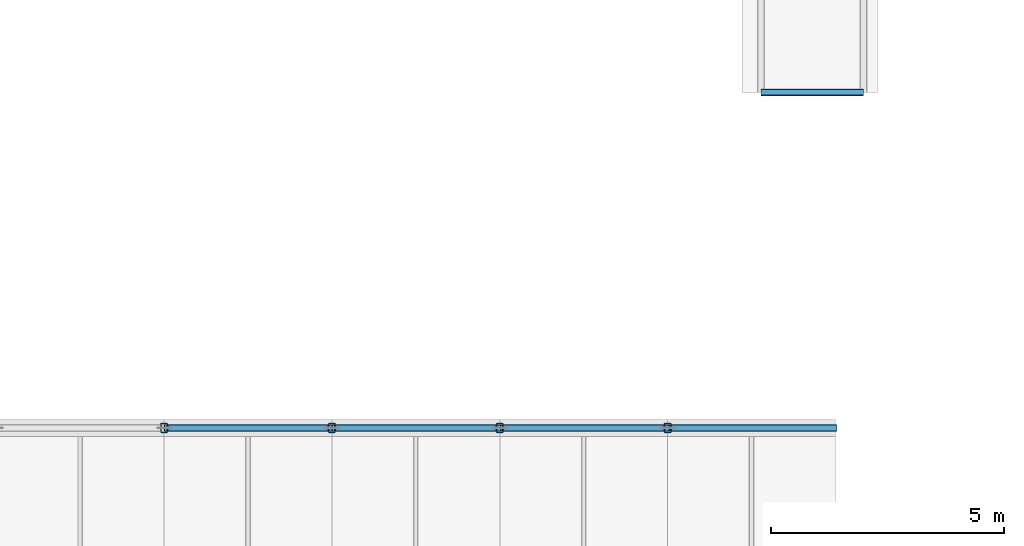
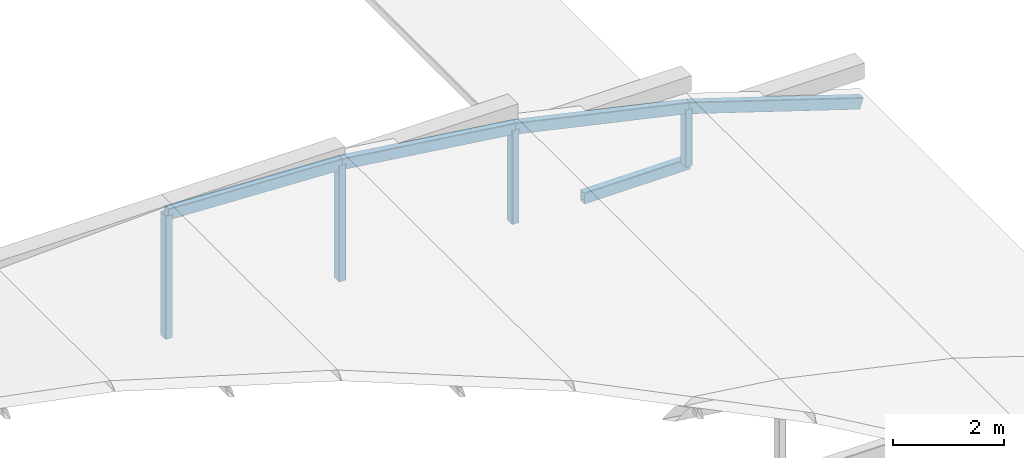
# One storey, part 15 of 70: 8 members, 1 beam.
"""IFC4 building model written with IfcOpenShell, lengths in metres."""

import ifcopenshell
import ifcopenshell.guid

model = None  # the IFC model being written
_history = None  # IfcOwnerHistory: only IFC2X3 demands one
_inside = {}  # id of a spatial element -> (the spatial element, [elements in it])
_under = {}  # id of a project, library or spatial element -> (it, [spatial elements below it])
_declared = {}  # id of a project -> (the project, [libraries it declares])
_typed = {}  # id of a type object -> (the type object, [elements of that type])
_made_of = {}  # id of a material, layer set ... -> (it, [elements and type objects made of it])


def new_model(schema):
    """Start an empty IFC model of exactly this schema.

    Asked for "IFC4X3", IfcOpenShell would pick the latest addendum, in which some entities
    have other attributes; the version numbers below select the first issue.
    IFC2X3 requires an IfcOwnerHistory on every rooted entity: one is made here for all.
    """
    global model, _history
    if schema == "IFC4X3":
        model = ifcopenshell.file(schema_version=(4, 3, 0, 0))
    else:
        model = ifcopenshell.file(schema=schema)
    _inside.clear()
    _under.clear()
    _declared.clear()
    _typed.clear()
    _made_of.clear()
    _history = None
    if model.schema == "IFC2X3":
        org = make("IfcOrganization", Name="unknown")
        user = make(
            "IfcPersonAndOrganization",
            ThePerson=make("IfcPerson", FamilyName="unknown"),
            TheOrganization=org,
        )
        app = make(
            "IfcApplication",
            ApplicationDeveloper=org,
            Version="unknown",
            ApplicationFullName="unknown",
            ApplicationIdentifier="unknown",
        )
        _history = make(
            "IfcOwnerHistory",
            OwningUser=user,
            OwningApplication=app,
            ChangeAction="ADDED",
            CreationDate=0,
        )
    return model


def make(cls, **values):
    """One entity of the class cls with the attributes given. An attribute that is None is left unset."""
    return model.create_entity(
        cls, **{name: value for name, value in values.items() if value is not None}
    )


def rooted(cls, **values):
    """An entity with a GlobalId (a new one), such as an element, a storey or a relation."""
    return make(cls, GlobalId=ifcopenshell.guid.new(), OwnerHistory=_history, **values)


def si_unit(unit_type, name, prefix=None):
    """IfcSIUnit, for example si_unit("LENGTHUNIT", "METRE", prefix="MILLI")."""
    return make("IfcSIUnit", UnitType=unit_type, Prefix=prefix, Name=name)


def assignment(units):
    """IfcUnitAssignment: the units of a project."""
    return None if units is None else make("IfcUnitAssignment", Units=units)


def point(xyz):
    """IfcCartesianPoint."""
    return None if xyz is None else make("IfcCartesianPoint", Coordinates=xyz)


def direction(xyz):
    """IfcDirection."""
    return None if xyz is None else make("IfcDirection", DirectionRatios=xyz)


def frame(location, z_axis=None, x_axis=None):
    """IfcAxis2Placement3D, a coordinate frame: its origin and axes. An axis left out is left unset."""
    return make(
        "IfcAxis2Placement3D",
        Location=point(location),
        Axis=direction(z_axis),
        RefDirection=direction(x_axis),
    )


def frame_2d(location, x_axis=None):
    """IfcAxis2Placement2D, a coordinate frame in the plane: its origin and x axis."""
    return make(
        "IfcAxis2Placement2D", Location=point(location), RefDirection=direction(x_axis)
    )


def origin():
    """The frame at (0, 0, 0) with its axes left unset."""
    return frame((0.0, 0.0, 0.0))


def origin_2d():
    """The frame at (0, 0) in the plane with its x axis left unset."""
    return frame_2d((0.0, 0.0))


def place(relative_to, where):
    """IfcLocalPlacement: puts the frame where relative to a parent placement (None: the world)."""
    return make(
        "IfcLocalPlacement", PlacementRelTo=relative_to, RelativePlacement=where
    )


def context(
    kind, dimensions, precision=None, world=None, true_north=None, identifier=None
):
    """IfcGeometricRepresentationContext, for example the 3D "Model" context."""
    return make(
        "IfcGeometricRepresentationContext",
        ContextIdentifier=identifier,
        ContextType=kind,
        CoordinateSpaceDimension=dimensions,
        Precision=precision,
        WorldCoordinateSystem=world,
        TrueNorth=true_north,
    )


def subcontext(parent, identifier, kind, view, scale=None):
    """IfcGeometricRepresentationSubContext, for example "Body" below "Model"."""
    return make(
        "IfcGeometricRepresentationSubContext",
        ContextIdentifier=identifier,
        ContextType=kind,
        ParentContext=parent,
        TargetScale=scale,
        TargetView=view,
    )


def project(units=None, contexts=None):
    """IfcProject with its units and contexts."""
    return rooted(
        "IfcProject",
        Name="project",
        RepresentationContexts=contexts,
        UnitsInContext=assignment(units),
    )


def spatial(cls, under=None, at=None, **own):
    """A site, building, storey or space (cls), placed at a placement, below another one or the project."""
    s = rooted(cls, ObjectPlacement=at, **own)
    if under is not None:
        _under.setdefault(under.id(), (under, []))[1].append(s)
    return s


def profile(cls, at=None, kind="AREA", **sizes):
    """A parametric profile (cls). Its sizes go by their IFC names, for example OverallWidth=200.0."""
    return make(cls, ProfileType=kind, Position=at, **sizes)


def hollow_rectangle(**sizes):
    """IfcRectangleHollowProfileDef."""
    return profile("IfcRectangleHollowProfileDef", **sizes)


def extrude(swept, where, along, depth):
    """IfcExtrudedAreaSolid: the profile swept, set in the frame where, extruded along a direction by depth."""
    return make(
        "IfcExtrudedAreaSolid",
        SweptArea=swept,
        Position=where,
        ExtrudedDirection=direction(along),
        Depth=depth,
    )


def shape(context_of_items, identifier, shape_type, items):
    """IfcShapeRepresentation: the items that make up one representation, for example the "Body"."""
    return make(
        "IfcShapeRepresentation",
        ContextOfItems=context_of_items,
        RepresentationIdentifier=identifier,
        RepresentationType=shape_type,
        Items=items,
    )


def material(Name=None, Category=None):
    """IfcMaterial."""
    return make("IfcMaterial", Name=Name, Category=Category)


def material_profile(
    of_material, cross_section, Name=None, Category=None, Priority=None
):
    """IfcMaterialProfile: a cross section and its material."""
    return make(
        "IfcMaterialProfile",
        Name=Name,
        Material=of_material,
        Profile=cross_section,
        Priority=Priority,
        Category=Category,
    )


def profile_set(profiles, Name=None, composite=None):
    """IfcMaterialProfileSet."""
    return make(
        "IfcMaterialProfileSet",
        Name=Name,
        MaterialProfiles=profiles,
        CompositeProfile=composite,
    )


def made_of(thing, what):
    """Note that an element or type object is made of a material, layer set ...; save() writes the relation."""
    if what is not None:
        _made_of.setdefault(what.id(), (what, []))[1].append(thing)
    return thing


def type_object(cls, material=None, **own):
    """A type object (cls), such as IfcWallType, which elements share."""
    return made_of(rooted(cls, **own), material)


def element(
    cls,
    number,
    at=None,
    inside=None,
    cuts=None,
    type_object=None,
    material=None,
    context=None,
    identifier="Body",
    shape_type=None,
    held_by="IfcProductDefinitionShape",
    body=None,
    shapes=None,
    **own,
):
    """One element of the class cls, such as IfcWall. Its Tag is "e" and its number.

    at: its placement. inside: the storey or other place that contains it. cuts: it is an
    opening in that element (IfcRelVoidsElement). A single representation is given by context,
    identifier, shape_type and body (its items); several are given by shapes. held_by: the class
    of the entity that holds the representations. save() writes the other relations.
    """
    e = rooted(cls, Tag="e%d" % number, ObjectPlacement=at, **own)
    if body is not None:
        shapes = [shape(context, identifier, shape_type, body)]
    if shapes is not None:
        e.Representation = make(held_by, Representations=shapes)
    if inside is not None:
        _inside.setdefault(inside.id(), (inside, []))[1].append(e)
    if cuts is not None:
        rooted(
            "IfcRelVoidsElement", RelatingBuildingElement=cuts, RelatedOpeningElement=e
        )
    if type_object is not None:
        _typed.setdefault(type_object.id(), (type_object, []))[1].append(e)
    return made_of(e, material)


def aggregate(whole, parts):
    """IfcRelAggregates: a whole, such as a stair, and the parts it consists of."""
    return rooted("IfcRelAggregates", RelatingObject=whole, RelatedObjects=parts)


def save(model, path):
    """Write the relations noted so far, then the file.

    IfcRelAggregates (storeys below a building ...), IfcRelContainedInSpatialStructure (elements
    in a storey), IfcRelDefinesByType, IfcRelAssociatesMaterial and IfcRelDeclares: one each for
    every whole, place, type object, material and project.
    """
    for whole, parts in _under.values():
        aggregate(whole, parts)
    for where, things in _inside.values():
        rooted(
            "IfcRelContainedInSpatialStructure",
            RelatedElements=things,
            RelatingStructure=where,
        )
    for kind, things in _typed.values():
        rooted("IfcRelDefinesByType", RelatedObjects=things, RelatingType=kind)
    for what, things in _made_of.values():
        rooted("IfcRelAssociatesMaterial", RelatedObjects=things, RelatingMaterial=what)
    for by, libraries in _declared.values():
        rooted("IfcRelDeclares", RelatingContext=by, RelatedDefinitions=libraries)
    model.write(path)


model = new_model("IFC4")

# Units and contexts
model_context = context("Model", 3, precision=1e-05, world=origin(), true_north=direction((0.0, 1.0)))
body_context = subcontext(model_context, "Body", "Model", "MODEL_VIEW")
ifc_project = project(units=[si_unit("LENGTHUNIT", "METRE"), si_unit("AREAUNIT", "SQUARE_METRE"), si_unit("VOLUMEUNIT", "CUBIC_METRE"), si_unit("PLANEANGLEUNIT", "RADIAN"), si_unit("MASSUNIT", "GRAM", prefix="KILO")], contexts=[model_context])

# Site, building, storey
site_placement = place(None, origin())
site = spatial("IfcSite", under=ifc_project, at=site_placement, CompositionType="ELEMENT")
building_placement = place(site_placement, origin())
building = spatial("IfcBuilding", under=site, at=building_placement, Name="Mavantir Sound Aquarium", CompositionType="ELEMENT")
storey_placement = place(building_placement, frame((0.0, 0.0, 27.0)))
storey = spatial("IfcBuildingStorey", under=building, at=storey_placement, Name="RF", CompositionType="ELEMENT", Elevation=27.0)

# Beam
ifc_material = material(Name="Hollow Structural Steel ASTM A500 GrC", Category="steel")
ifc_material_profile_1 = material_profile(ifc_material, hollow_rectangle(XDim=0.14990234375, YDim=0.25, WallThickness=0.010009765625, InnerFilletRadius=0.010009765625, OuterFilletRadius=0.02001953125, at=origin_2d()), Name="RHS 250X150X10")
ifc_profile_set_1 = profile_set([ifc_material_profile_1], Name="Hollow Structural Steel ASTM A500 GrC")
beam_type = type_object("IfcBeamType", Name="BM-RHS250-E", PredefinedType="BEAM", material=ifc_profile_set_1)
beam_placement = place(storey_placement, frame((94.39990234375, 40.800048828125, -22.52490234375), z_axis=(1.0, 0.0, 0.0), x_axis=(0.0, 1.0, 0.0)))
element("IfcBeam", 1, at=beam_placement, inside=storey, type_object=beam_type, Name="Tidal court colonnade cross beam E1", PredefinedType="BEAM", context=body_context, shape_type="SweptSolid", body=[
    extrude(hollow_rectangle(XDim=0.14990234375, YDim=0.25, WallThickness=0.010009765625, InnerFilletRadius=0.010009765625, OuterFilletRadius=0.02001953125, at=origin_2d()), origin(), (0.0, 0.0, 1.0), 2.2001953125),
])

# Members
ifc_material_profile_2 = material_profile(ifc_material, hollow_rectangle(XDim=0.14990234375, YDim=0.25, WallThickness=0.010009765625, InnerFilletRadius=0.010009765625, OuterFilletRadius=0.02001953125, at=origin_2d()), Name="RHS 250X150X10")
ifc_profile_set_2 = profile_set([ifc_material_profile_2], Name="Hollow Structural Steel ASTM A500 GrC")
member_type_1 = type_object("IfcMemberType", Name="MEM-AR-RHS250", PredefinedType="CHORD", material=ifc_profile_set_2)
member_1_placement = place(storey_placement, frame((81.60009765625, 33.60009765625, -14.030029296875), z_axis=(0.999041657314, 0.0, -0.043769475119), x_axis=(0.0, 1.0, 0.0)))
element("IfcMember", 2, at=member_1_placement, inside=storey, type_object=member_type_1, Name="V7 entry vault arch rib 89", PredefinedType="CHORD", context=body_context, shape_type="SweptSolid", body=[
    extrude(hollow_rectangle(XDim=0.14990234375, YDim=0.25, WallThickness=0.010009765625, InnerFilletRadius=0.010009765625, OuterFilletRadius=0.02001953125, at=origin_2d()), origin(), (0.0, 0.0, 1.0), 3.603271484375),
])
member_2_placement = place(storey_placement, frame((85.199951171875, 33.60009765625, -14.187744140625), z_axis=(0.991351936589, 0.0, -0.131230094956), x_axis=(0.0, 1.0, 0.0)))
element("IfcMember", 3, at=member_2_placement, inside=storey, type_object=member_type_1, Name="V7 entry vault arch rib 91", PredefinedType="CHORD", context=body_context, shape_type="SweptSolid", body=[
    extrude(hollow_rectangle(XDim=0.14990234375, YDim=0.25, WallThickness=0.010009765625, InnerFilletRadius=0.010009765625, OuterFilletRadius=0.02001953125, at=origin_2d()), origin(), (0.0, 0.0, 1.0), 3.631591796875),
])
member_3_placement = place(storey_placement, frame((88.800048828125, 33.60009765625, -14.664306640625), z_axis=(0.975760104728, 0.0, -0.218842907178), x_axis=(0.0, 1.0, 0.0)))
element("IfcMember", 4, at=member_3_placement, inside=storey, type_object=member_type_1, Name="V7 entry vault arch rib 93", PredefinedType="CHORD", context=body_context, shape_type="SweptSolid", body=[
    extrude(hollow_rectangle(XDim=0.14990234375, YDim=0.25, WallThickness=0.010009765625, InnerFilletRadius=0.010009765625, OuterFilletRadius=0.02001953125, at=origin_2d()), origin(), (0.0, 0.0, 1.0), 3.689208984375),
])
member_4_placement = place(storey_placement, frame((92.39990234375, 33.60009765625, -15.4716796875), z_axis=(0.951949270462, 0.0, -0.306255753362), x_axis=(0.0, 1.0, 0.0)))
element("IfcMember", 5, at=member_4_placement, inside=storey, type_object=member_type_1, Name="V7 entry vault arch rib 95", PredefinedType="CHORD", context=body_context, shape_type="SweptSolid", body=[
    extrude(hollow_rectangle(XDim=0.14990234375, YDim=0.25, WallThickness=0.010009765625, InnerFilletRadius=0.010009765625, OuterFilletRadius=0.02001953125, at=origin_2d()), origin(), (0.0, 0.0, 1.0), 3.78173828125),
])
ifc_material_profile_3 = material_profile(ifc_material, hollow_rectangle(XDim=0.14990234375, YDim=0.199951171875, WallThickness=0.010009765625, InnerFilletRadius=0.010009765625, OuterFilletRadius=0.02001953125, at=origin_2d()), Name="RHS 200X150X10")
ifc_profile_set_3 = profile_set([ifc_material_profile_3], Name="Hollow Structural Steel ASTM A500 GrC")
member_type_2 = type_object("IfcMemberType", Name="MEM-BR-RHS200", PredefinedType="BRACE", material=ifc_profile_set_3)
member_5_placement = place(storey_placement, frame((81.60009765625, 33.60009765625, -16.72998046875), z_axis=(0.0, 0.0, 1.0), x_axis=(1.0, 0.0, 0.0)))
element("IfcMember", 6, at=member_5_placement, inside=storey, type_object=member_type_2, Name="Steel truss web brace 90", PredefinedType="BRACE", context=body_context, shape_type="SweptSolid", body=[
    extrude(hollow_rectangle(XDim=0.14990234375, YDim=0.199951171875, WallThickness=0.010009765625, InnerFilletRadius=0.010009765625, OuterFilletRadius=0.02001953125, at=origin_2d()), origin(), (0.0, 0.0, 1.0), 2.699951171875),
])
member_6_placement = place(storey_placement, frame((85.199951171875, 33.60009765625, -16.72998046875), z_axis=(0.0, 0.0, 1.0), x_axis=(1.0, 0.0, 0.0)))
element("IfcMember", 7, at=member_6_placement, inside=storey, type_object=member_type_2, Name="Steel truss web brace 92", PredefinedType="BRACE", context=body_context, shape_type="SweptSolid", body=[
    extrude(hollow_rectangle(XDim=0.14990234375, YDim=0.199951171875, WallThickness=0.010009765625, InnerFilletRadius=0.010009765625, OuterFilletRadius=0.02001953125, at=origin_2d()), origin(), (0.0, 0.0, 1.0), 2.542236328125),
])
member_7_placement = place(storey_placement, frame((88.800048828125, 33.60009765625, -16.72998046875), z_axis=(0.0, 0.0, 1.0), x_axis=(1.0, 0.0, 0.0)))
element("IfcMember", 8, at=member_7_placement, inside=storey, type_object=member_type_2, Name="Steel truss web brace 94", PredefinedType="BRACE", context=body_context, shape_type="SweptSolid", body=[
    extrude(hollow_rectangle(XDim=0.14990234375, YDim=0.199951171875, WallThickness=0.010009765625, InnerFilletRadius=0.010009765625, OuterFilletRadius=0.02001953125, at=origin_2d()), origin(), (0.0, 0.0, 1.0), 2.065673828125),
])
member_8_placement = place(storey_placement, frame((92.39990234375, 33.60009765625, -16.72998046875), z_axis=(0.0, 0.0, 1.0), x_axis=(1.0, 0.0, 0.0)))
element("IfcMember", 9, at=member_8_placement, inside=storey, type_object=member_type_2, Name="Steel truss web brace 96", PredefinedType="BRACE", context=body_context, shape_type="SweptSolid", body=[
    extrude(hollow_rectangle(XDim=0.14990234375, YDim=0.199951171875, WallThickness=0.010009765625, InnerFilletRadius=0.010009765625, OuterFilletRadius=0.02001953125, at=origin_2d()), origin(), (0.0, 0.0, 1.0), 1.25830078125),
])

save(model, "model.ifc")
